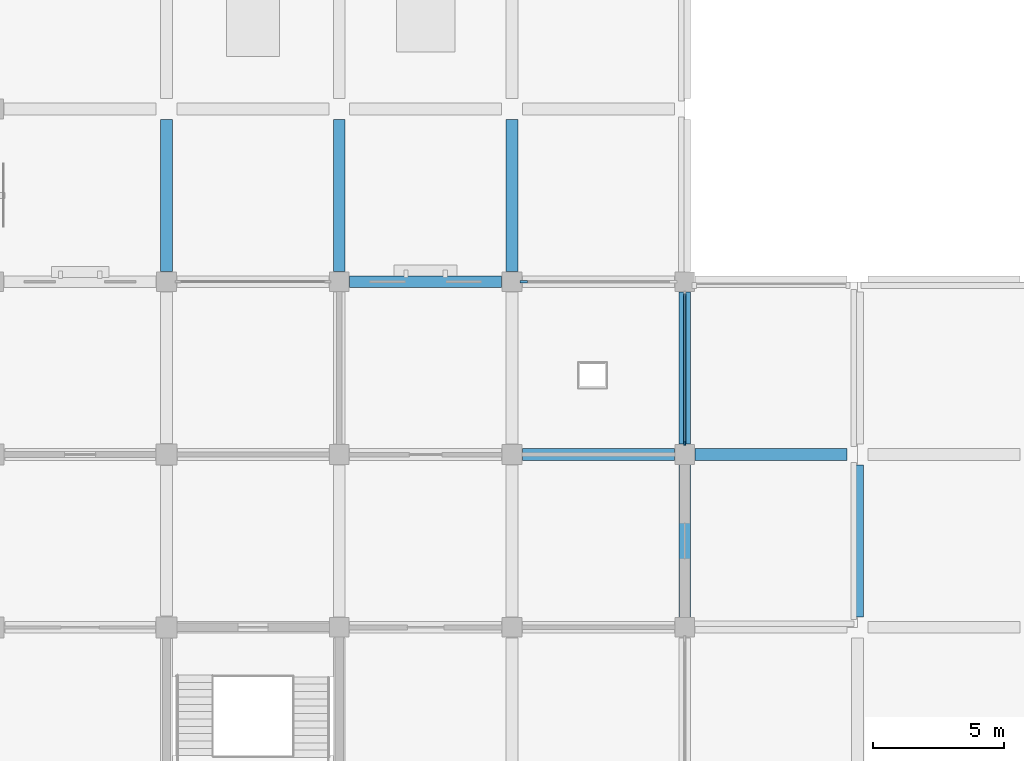
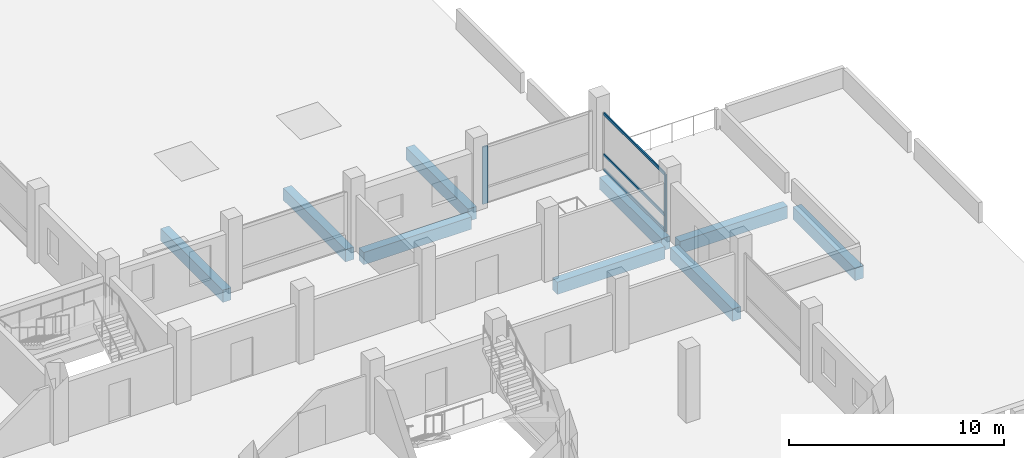
# One storey, part 3 of 23: 9 beams, 5 members, 2 elements without a shape of their own.
"""IFC4 building model written with IfcOpenShell, lengths in metres."""

from ifc_helpers import new_model, si_unit, direction, frame, origin, origin_2d, place, context, subcontext, project, spatial, rectangle, extrude, material, material_profile, profile_set, type_object, element, aggregate, save


model = new_model("IFC4")

# Units and contexts
model_context = context("Model", 3, precision=1e-05, world=origin(), true_north=direction((0.0, 1.0)))
body_context = subcontext(model_context, "Body", "Model", "MODEL_VIEW")
ifc_project = project(units=[si_unit("LENGTHUNIT", "METRE"), si_unit("AREAUNIT", "SQUARE_METRE"), si_unit("VOLUMEUNIT", "CUBIC_METRE"), si_unit("PLANEANGLEUNIT", "RADIAN"), si_unit("MASSUNIT", "GRAM", prefix="KILO")], contexts=[model_context])

# Site, building, storey
site_placement = place(None, origin())
site = spatial("IfcSite", under=ifc_project, at=site_placement, CompositionType="ELEMENT")
building_placement = place(site_placement, origin())
building = spatial("IfcBuilding", under=site, at=building_placement, Name="Rusizi Kubbe Research Institute", CompositionType="ELEMENT")
storey_placement = place(building_placement, frame((0.0, 0.0, 18.60009765625)))
storey = spatial("IfcBuildingStorey", under=building, at=storey_placement, Name="L04", CompositionType="ELEMENT", Elevation=18.60009765625)

# Beams
ifc_material_1 = material(Name="Concrete C40/50", Category="concrete")
ifc_material_profile_1 = material_profile(ifc_material_1, rectangle(XDim=0.449951171875, YDim=0.699951171875, at=origin_2d()), Name="RC450x700B")
ifc_profile_set_1 = profile_set([ifc_material_profile_1], Name="Concrete C40/50")
beam_type = type_object("IfcBeamType", Name="BM-RC450x700", PredefinedType="BEAM", material=ifc_profile_set_1)
beam_1_placement = place(storey_placement, frame((40.0, 26.39990234375, -0.690185546875), z_axis=(1.0, 0.0, 0.0), x_axis=(0.0, 1.0, 0.0)))
element("IfcBeam", 1, at=beam_1_placement, inside=storey, type_object=beam_type, Name="Grid Beam H L04 (6,4)", PredefinedType="BEAM", context=body_context, shape_type="SweptSolid", body=[
    extrude(rectangle(XDim=0.449951171875, YDim=0.699951171875, at=origin_2d()), origin(), (0.0, 0.0, 1.0), 5.800048828125),
])
beam_2_placement = place(storey_placement, frame((46.60009765625, 19.800048828125, -0.690185546875), z_axis=(1.0, 0.0, 0.0), x_axis=(0.0, 1.0, 0.0)))
element("IfcBeam", 2, at=beam_2_placement, inside=storey, type_object=beam_type, Name="Grid Beam H L04 (7,3)", PredefinedType="BEAM", context=body_context, shape_type="SweptSolid", body=[
    extrude(rectangle(XDim=0.449951171875, YDim=0.699951171875, at=origin_2d()), origin(), (0.0, 0.0, 1.0), 5.7998046875),
])
for number, where, z_axis, x_axis, name in (
    (3, (53.199951171875, 19.800048828125, -0.690185546875), (1.0, 0.0, 0.0), (0.0, 1.0, 0.0), "Grid Beam H L04 (8,3)"),
    (4, (33.0, 26.800048828125, -0.690185546875), (0.0, 1.0, 0.0), (-1.0, 0.0, 0.0), "Grid Beam V L04 (5,4)"),
    (5, (39.60009765625, 26.800048828125, -0.690185546875), (0.0, 1.0, 0.0), (-1.0, 0.0, 0.0), "Grid Beam V L04 (6,4)"),
    (6, (46.199951171875, 26.800048828125, -0.690185546875), (0.0, 1.0, 0.0), (-1.0, 0.0, 0.0), "Grid Beam V L04 (7,4)"),
):
    element("IfcBeam", number, at=place(storey_placement, frame(where, z_axis=z_axis, x_axis=x_axis)), inside=storey, type_object=beam_type, Name=name, PredefinedType="BEAM", context=body_context, shape_type="SweptSolid", body=[
        extrude(rectangle(XDim=0.449951171875, YDim=0.699951171875, at=origin_2d()), origin(), (0.0, 0.0, 1.0), 5.800048828125),
    ])
beam_3_placement = place(storey_placement, frame((52.800048828125, 13.60009765625, -0.690185546875), z_axis=(0.0, 1.0, 0.0), x_axis=(-1.0, 0.0, 0.0)))
element("IfcBeam", 7, at=beam_3_placement, inside=storey, type_object=beam_type, Name="Grid Beam V L04 (8,2)", PredefinedType="BEAM", context=body_context, shape_type="SweptSolid", body=[
    extrude(rectangle(XDim=0.449951171875, YDim=0.699951171875, at=origin_2d()), origin(), (0.0, 0.0, 1.0), 5.7998046875),
])
beam_4_placement = place(storey_placement, frame((52.800048828125, 20.199951171875, -0.690185546875), z_axis=(0.0, 1.0, 0.0), x_axis=(-1.0, 0.0, 0.0)))
element("IfcBeam", 8, at=beam_4_placement, inside=storey, type_object=beam_type, Name="Grid Beam V L04 (8,3)", PredefinedType="BEAM", context=body_context, shape_type="SweptSolid", body=[
    extrude(rectangle(XDim=0.449951171875, YDim=0.699951171875, at=origin_2d()), origin(), (0.0, 0.0, 1.0), 5.800048828125),
])
beam_5_placement = place(storey_placement, frame((59.39990234375, 13.60009765625, -0.690185546875), z_axis=(0.0, 1.0, 0.0), x_axis=(-1.0, 0.0, 0.0)))
element("IfcBeam", 9, at=beam_5_placement, inside=storey, type_object=beam_type, Name="Grid Beam V L04 (9,2)", PredefinedType="BEAM", context=body_context, shape_type="SweptSolid", body=[
    extrude(rectangle(XDim=0.449951171875, YDim=0.699951171875, at=origin_2d()), origin(), (0.0, 0.0, 1.0), 5.7998046875),
])

# Curtain wall, member
ifc_material_2 = material(Name="Thermally Broken Aluminium and Low-E Glazing", Category="aluminium")
curtain_wall_type = type_object("IfcCurtainWallType", Name="CW-07", PredefinedType="NOTDEFINED", material=ifc_material_2)
curtain_wall_1_placement = place(storey_placement, origin())
curtain_wall_1 = element("IfcCurtainWall", 10, at=curtain_wall_1_placement, inside=storey, type_object=curtain_wall_type, Name="Unitised Facade Curtain Wall CW-L04-V-08-03", PredefinedType="NOTDEFINED")
ifc_material_3 = material(Name="Aluminium Alloy 6063-T6", Category="aluminium")
ifc_material_profile_2 = material_profile(ifc_material_3, rectangle(XDim=0.06005859375, YDim=0.14990234375, at=origin_2d()), Name="ALU-M 60x150")
ifc_profile_set_2 = profile_set([ifc_material_profile_2], Name="Aluminium Alloy 6063-T6")
member_type_1 = type_object("IfcMemberType", Name="ML-01", PredefinedType="MULLION", material=ifc_profile_set_2)
member_1_placement = place(storey_placement, frame((52.800048828125, 20.235107421875, 0.0), z_axis=(0.0, 0.0, 1.0), x_axis=(-1.0, 0.0, 0.0)))
member_1 = element("IfcMember", 11, at=member_1_placement, type_object=member_type_1, Name="CW-07 mullion 1", PredefinedType="MULLION", context=body_context, shape_type="SweptSolid", body=[
    extrude(rectangle(XDim=0.06005859375, YDim=0.14990234375, at=origin_2d()), origin(), (0.0, 0.0, 1.0), 3.260009765625),
])

curtain_wall_2_placement = place(storey_placement, origin())
curtain_wall_2 = element("IfcCurtainWall", 12, at=curtain_wall_2_placement, inside=storey, type_object=curtain_wall_type, Name="Unitised Facade Curtain Wall CW-L04-H-07-04", PredefinedType="NOTDEFINED")
ifc_material_4 = material(Name="Aluminium Alloy 6063-T6", Category="aluminium")
ifc_material_profile_3 = material_profile(ifc_material_4, rectangle(XDim=0.080078125, YDim=0.280029296875, at=origin_2d()), Name="ALU-M 80x280")
ifc_profile_set_3 = profile_set([ifc_material_profile_3], Name="Aluminium Alloy 6063-T6")
member_type_2 = type_object("IfcMemberType", Name="ML-06", PredefinedType="MULLION", material=ifc_profile_set_3)
member_2_placement = place(storey_placement, frame((46.64501953125, 26.39990234375, 0.0), z_axis=(0.0, 0.0, 1.0), x_axis=(0.0, 1.0, 0.0)))
member_2 = element("IfcMember", 13, at=member_2_placement, type_object=member_type_2, Name="CW-07 mullion 1", PredefinedType="MULLION", context=body_context, shape_type="SweptSolid", body=[
    extrude(rectangle(XDim=0.080078125, YDim=0.280029296875, at=origin_2d()), origin(), (0.0, 0.0, 1.0), 3.260009765625),
])
aggregate(curtain_wall_2, [member_2])

# Member
ifc_material_5 = material(Name="Aluminium Alloy 6063-T6", Category="aluminium")
ifc_material_profile_4 = material_profile(ifc_material_5, rectangle(XDim=0.06494140625, YDim=0.159912109375, at=origin_2d()), Name="ALU-T 65x160")
ifc_profile_set_4 = profile_set([ifc_material_profile_4], Name="Aluminium Alloy 6063-T6")
member_type_3 = type_object("IfcMemberType", Name="TR-03", PredefinedType="USERDEFINED", material=ifc_profile_set_4)
member_3_placement = place(storey_placement, frame((52.800048828125, 20.264892578125, 0.032470703125), z_axis=(0.0, 1.0, 0.0), x_axis=(-1.0, 0.0, 0.0)))
member_3 = element("IfcMember", 14, at=member_3_placement, type_object=member_type_3, Name="CW-07 transom 1.1", ObjectType="TRANSOM", PredefinedType="USERDEFINED", context=body_context, shape_type="SweptSolid", body=[
    extrude(rectangle(XDim=0.06494140625, YDim=0.159912109375, at=origin_2d()), origin(), (0.0, 0.0, 1.0), 5.670166015625),
])

member_4_placement = place(storey_placement, frame((52.800048828125, 20.264892578125, 0.89990234375), z_axis=(0.0, 1.0, 0.0), x_axis=(-1.0, 0.0, 0.0)))
member_4 = element("IfcMember", 15, at=member_4_placement, type_object=member_type_3, Name="CW-07 transom 1.2", ObjectType="TRANSOM", PredefinedType="USERDEFINED", context=body_context, shape_type="SweptSolid", body=[
    extrude(rectangle(XDim=0.06494140625, YDim=0.159912109375, at=origin_2d()), origin(), (0.0, 0.0, 1.0), 5.670166015625),
])

member_5_placement = place(storey_placement, frame((52.800048828125, 20.264892578125, 3.227294921875), z_axis=(0.0, 1.0, 0.0), x_axis=(-1.0, 0.0, 0.0)))
member_5 = element("IfcMember", 16, at=member_5_placement, type_object=member_type_3, Name="CW-07 transom 1.3", ObjectType="TRANSOM", PredefinedType="USERDEFINED", context=body_context, shape_type="SweptSolid", body=[
    extrude(rectangle(XDim=0.06494140625, YDim=0.159912109375, at=origin_2d()), origin(), (0.0, 0.0, 1.0), 5.670166015625),
])

aggregate(curtain_wall_1, [member_1, member_3, member_4, member_5])

save(model, "model.ifc")
